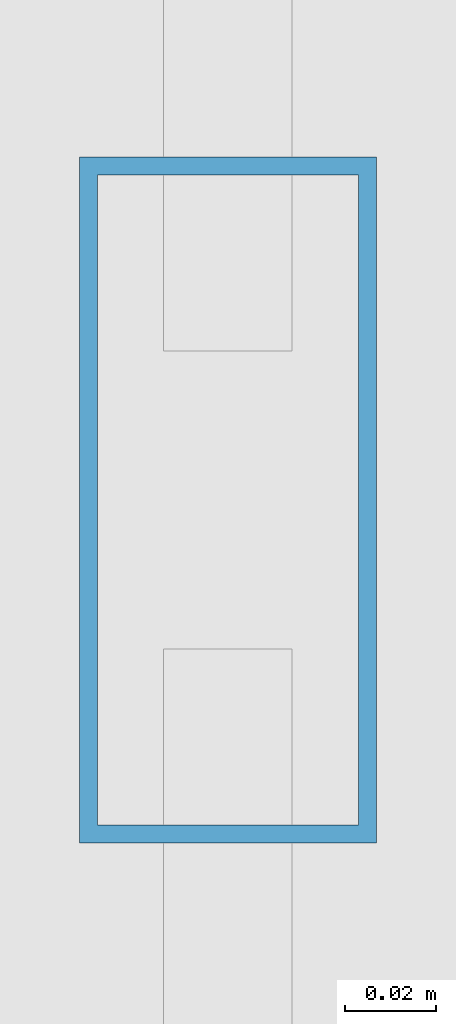
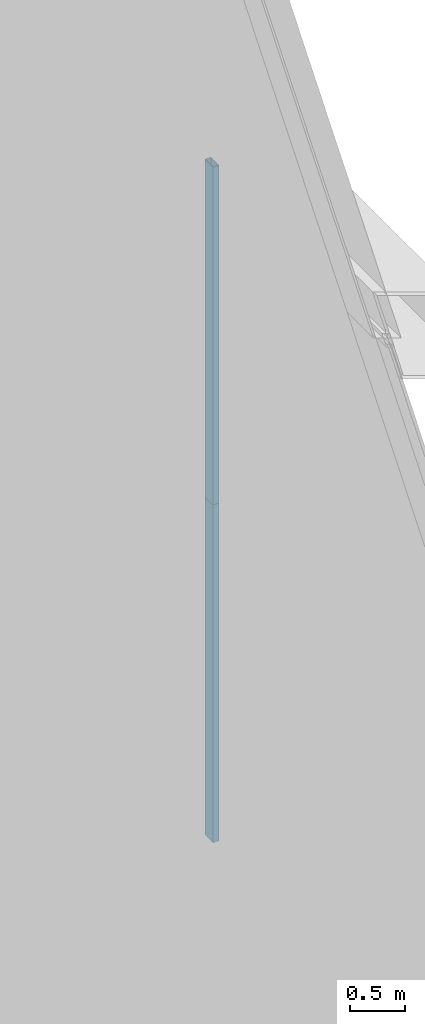
# One storey, part 13 of 28: 2 members, 2 elements without a shape of their own.
"""IFC4 building model written with IfcOpenShell, lengths in metres."""

from ifc_helpers import new_model, si_unit, direction, frame, origin, origin_2d, place, context, subcontext, project, spatial, hollow_rectangle, extrude, material, material_profile, profile_set, type_object, element, aggregate, save


model = new_model("IFC4")

# Units and contexts
model_context = context("Model", 3, precision=1e-05, world=origin(), true_north=direction((0.0, 1.0)))
body_context = subcontext(model_context, "Body", "Model", "MODEL_VIEW")
ifc_project = project(units=[si_unit("LENGTHUNIT", "METRE"), si_unit("AREAUNIT", "SQUARE_METRE"), si_unit("VOLUMEUNIT", "CUBIC_METRE"), si_unit("PLANEANGLEUNIT", "RADIAN"), si_unit("MASSUNIT", "GRAM", prefix="KILO")], contexts=[model_context])

# Site, building, storey
site_placement = place(None, origin())
site = spatial("IfcSite", under=ifc_project, at=site_placement, CompositionType="ELEMENT")
building_placement = place(site_placement, origin())
building = spatial("IfcBuilding", under=site, at=building_placement, Name="Tashvorn Skyway Center", CompositionType="ELEMENT")
storey_placement = place(building_placement, frame((0.0, 0.0, 277.60009765625)))
storey = spatial("IfcBuildingStorey", under=building, at=storey_placement, Name="Roof Level", CompositionType="ELEMENT", Elevation=277.60009765625)

# Curtain wall, member
ifc_material = material(Name="Thermally broken bronze-anodized aluminium 6063-T6", Category="aluminium")
curtain_wall_type = type_object("IfcCurtainWallType", Name="CW-CW-SKY", PredefinedType="NOTDEFINED", material=ifc_material)
curtain_wall_1_placement = place(storey_placement, origin())
curtain_wall_1 = element("IfcCurtainWall", 1, at=curtain_wall_1_placement, inside=storey, type_object=curtain_wall_type, Name="CROWN Lantern Fritted Curtain Wall T1 E-3", PredefinedType="NOTDEFINED")
ifc_material_profile = material_profile(ifc_material, hollow_rectangle(XDim=0.06494140625, YDim=0.14990234375, WallThickness=0.00390625, at=origin_2d()), Name="ALU-MULL-65x150")
ifc_profile_set = profile_set([ifc_material_profile], Name="Thermally broken bronze-anodized aluminium 6063-T6")
member_type = type_object("IfcMemberType", Name="CWM-CW-SKY", PredefinedType="MULLION", material=ifc_profile_set)
member_1_placement = place(storey_placement, frame((56.219970703125, 32.0, 7.52978515625), z_axis=(0.0, 0.0, 1.0), x_axis=(1.0, 0.0, 0.0)))
member_1 = element("IfcMember", 2, at=member_1_placement, type_object=member_type, Name="CW-SKY mullion 2", PredefinedType="MULLION", context=body_context, shape_type="SweptSolid", body=[
    extrude(hollow_rectangle(XDim=0.06494140625, YDim=0.14990234375, WallThickness=0.00390625, at=origin_2d()), origin(), (0.0, 0.0, 1.0), 3.76513671875),
])
aggregate(curtain_wall_1, [member_1])

curtain_wall_2_placement = place(storey_placement, origin())
curtain_wall_2 = element("IfcCurtainWall", 3, at=curtain_wall_2_placement, inside=storey, type_object=curtain_wall_type, Name="CROWN Lantern Fritted Curtain Wall T1 E-4", PredefinedType="NOTDEFINED")
member_2_placement = place(storey_placement, frame((56.219970703125, 32.0, 11.294921875), z_axis=(0.0, 0.0, 1.0), x_axis=(1.0, 0.0, 0.0)))
member_2 = element("IfcMember", 4, at=member_2_placement, type_object=member_type, Name="CW-SKY mullion 2", PredefinedType="MULLION", context=body_context, shape_type="SweptSolid", body=[
    extrude(hollow_rectangle(XDim=0.06494140625, YDim=0.14990234375, WallThickness=0.00390625, at=origin_2d()), origin(), (0.0, 0.0, 1.0), 3.764892578125),
])
aggregate(curtain_wall_2, [member_2])

save(model, "model.ifc")
